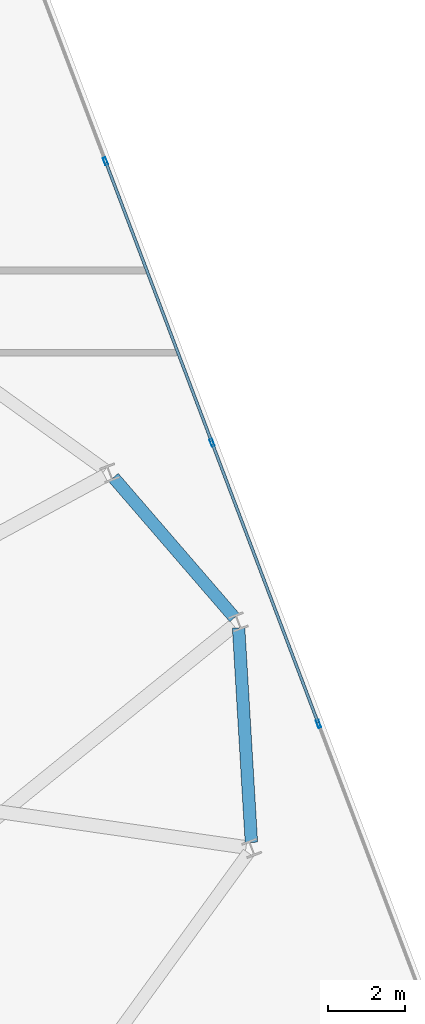
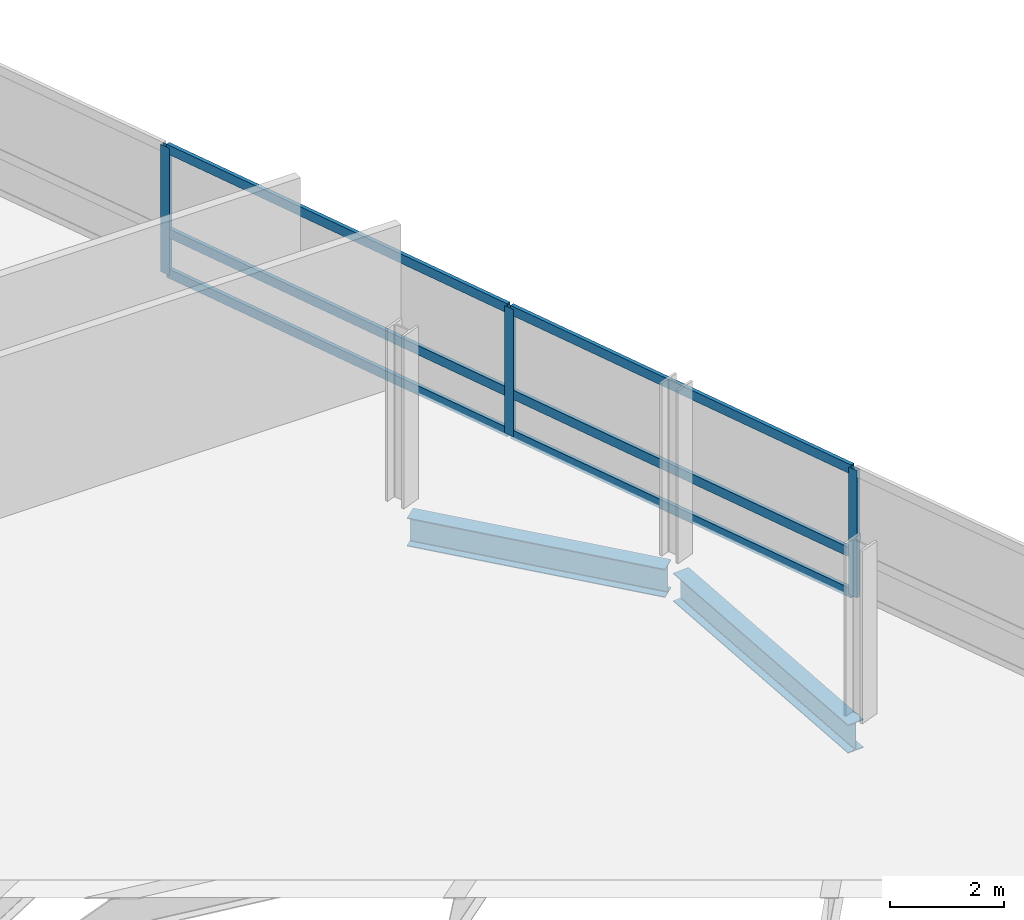
# One storey, part 12 of 20: 9 members, 2 beams, 1 element without a shape of its own.
"""IFC4 building model written with IfcOpenShell, lengths in metres."""

from ifc_helpers import new_model, si_unit, direction, frame, origin, origin_2d, place, context, subcontext, project, spatial, hollow_rectangle, i_section, extrude, material, layer, layer_set, material_profile, profile_set, type_object, element, aggregate, save


model = new_model("IFC4")

# Units and contexts
model_context = context("Model", 3, precision=1e-05, world=origin(), true_north=direction((0.0, 1.0)))
body_context = subcontext(model_context, "Body", "Model", "MODEL_VIEW")
ifc_project = project(units=[si_unit("LENGTHUNIT", "METRE"), si_unit("AREAUNIT", "SQUARE_METRE"), si_unit("VOLUMEUNIT", "CUBIC_METRE"), si_unit("PLANEANGLEUNIT", "RADIAN"), si_unit("MASSUNIT", "GRAM", prefix="KILO")], contexts=[model_context])

# Site, building, storey
site_placement = place(None, origin())
site = spatial("IfcSite", under=ifc_project, at=site_placement, CompositionType="ELEMENT")
building_placement = place(site_placement, origin())
building = spatial("IfcBuilding", under=site, at=building_placement, Name="Varnelok Gate Tower", CompositionType="ELEMENT")
storey_placement = place(building_placement, frame((0.0, 0.0, 220.10009765625)))
storey = spatial("IfcBuildingStorey", under=building, at=storey_placement, Name="L56", CompositionType="ELEMENT", Elevation=220.10009765625)

# Beams
ifc_material_1 = material(Name="Structural Steel ASTM A992 Grade 50", Category="steel")
ifc_material_profile_1 = material_profile(ifc_material_1, i_section(OverallWidth=0.323974609375, OverallDepth=0.611083984375, WebThickness=0.0126953125, FlangeThickness=0.01904296875, FilletRadius=0.01806640625, at=origin_2d()), Name="W24X104")
ifc_profile_set_1 = profile_set([ifc_material_profile_1], Name="Structural Steel ASTM A992 Grade 50")
beam_type = type_object("IfcBeamType", Name="BM-SPN-W24X104", PredefinedType="SPANDREL", material=ifc_profile_set_1)
beam_1_placement = place(storey_placement, frame((71.046142578125, 26.60302734375, -0.5556640625), z_axis=(-0.059494461707, 0.998228635647, 0.0), x_axis=(-0.998228635647, -0.059494461707, 0.0)))
element("IfcBeam", 1, at=beam_1_placement, inside=storey, type_object=beam_type, Name="L56 Perimeter Spandrel Beam 6", PredefinedType="SPANDREL", context=body_context, shape_type="SweptSolid", body=[
    extrude(i_section(OverallWidth=0.323974609375, OverallDepth=0.611083984375, WebThickness=0.0126953125, FlangeThickness=0.01904296875, FilletRadius=0.01806640625, at=origin_2d()), origin(), (0.0, 0.0, 1.0), 5.57666015625),
])
beam_2_placement = place(storey_placement, frame((70.607421875, 32.43310546875, -0.5556640625), z_axis=(-0.653480804386, 0.756943087886, 0.0), x_axis=(-0.756943087886, -0.653480804386, 0.0)))
element("IfcBeam", 2, at=beam_2_placement, inside=storey, type_object=beam_type, Name="L56 Perimeter Spandrel Beam 7", PredefinedType="SPANDREL", context=body_context, shape_type="SweptSolid", body=[
    extrude(i_section(OverallWidth=0.323974609375, OverallDepth=0.611083984375, WebThickness=0.0126953125, FlangeThickness=0.01904296875, FilletRadius=0.01806640625, at=origin_2d()), origin(), (0.0, 0.0, 1.0), 4.799560546875),
])

# Curtain wall, members
ifc_material_2 = material(Name="Anodized Aluminum Alloy 6063-T6", Category="aluminium")
ifc_layer = layer(ifc_material_2, 0.179931640625)
ifc_layer_set = layer_set([ifc_layer], Name="Anodized Aluminum Alloy 6063-T6")
curtain_wall_type = type_object("IfcCurtainWallType", Name="CW4-RESIDENCE-VISION", PredefinedType="USERDEFINED", material=ifc_layer_set)
curtain_wall_placement = place(storey_placement, origin())
curtain_wall = element("IfcCurtainWall", 3, at=curtain_wall_placement, inside=storey, type_object=curtain_wall_type, Name="L56 East End Vision Curtain Wall", ObjectType="UNITISED CURTAIN WALL", PredefinedType="USERDEFINED")
ifc_material_profile_2 = material_profile(ifc_material_2, hollow_rectangle(XDim=0.074951171875, YDim=0.199951171875, WallThickness=0.00390625, at=origin_2d()), Name="ALU200X75X4")
ifc_profile_set_2 = profile_set([ifc_material_profile_2], Name="Anodized Aluminum Alloy 6063-T6")
member_type_1 = type_object("IfcMemberType", Name="CW-MULL-200", PredefinedType="MULLION", material=ifc_profile_set_2)
member_1_placement = place(storey_placement, frame((67.26318359375, 44.2646484375, 0.0), z_axis=(0.0, 0.0, 1.0), x_axis=(0.935221557832, 0.354063042079, 0.0)))
member_1 = element("IfcMember", 4, at=member_1_placement, type_object=member_type_1, Name="CW4 mullion 2", PredefinedType="MULLION", context=body_context, shape_type="SweptSolid", body=[
    extrude(hollow_rectangle(XDim=0.074951171875, YDim=0.199951171875, WallThickness=0.00390625, at=origin_2d()), origin(), (0.0, 0.0, 1.0), 2.72998046875),
])
member_2_placement = place(storey_placement, frame((70.02490234375, 36.969970703125, 0.0), z_axis=(0.0, 0.0, 1.0), x_axis=(0.935221557832, 0.354063042079, 0.0)))
member_2 = element("IfcMember", 5, at=member_2_placement, type_object=member_type_1, Name="CW4 mullion 3", PredefinedType="MULLION", context=body_context, shape_type="SweptSolid", body=[
    extrude(hollow_rectangle(XDim=0.074951171875, YDim=0.199951171875, WallThickness=0.00390625, at=origin_2d()), origin(), (0.0, 0.0, 1.0), 2.72998046875),
])
member_3_placement = place(storey_placement, frame((72.78662109375, 29.675048828125, 0.0), z_axis=(0.0, 0.0, 1.0), x_axis=(0.935221557832, 0.354063042079, 0.0)))
member_3 = element("IfcMember", 6, at=member_3_placement, type_object=member_type_1, Name="CW4 mullion 4", PredefinedType="MULLION", context=body_context, shape_type="SweptSolid", body=[
    extrude(hollow_rectangle(XDim=0.074951171875, YDim=0.199951171875, WallThickness=0.00390625, at=origin_2d()), origin(), (0.0, 0.0, 1.0), 2.72998046875),
])
ifc_material_profile_3 = material_profile(ifc_material_2, hollow_rectangle(XDim=0.074951171875, YDim=0.199951171875, WallThickness=0.00390625, at=origin_2d()), Name="ALU200X75X4")
ifc_profile_set_3 = profile_set([ifc_material_profile_3], Name="Anodized Aluminum Alloy 6063-T6")
member_type_2 = type_object("IfcMemberType", Name="CW-TRAN-200", PredefinedType="USERDEFINED", material=ifc_profile_set_3)
member_4_placement = place(storey_placement, frame((67.2763671875, 44.2294921875, 0.037353515625), z_axis=(0.354086355793, -0.935212731223, 0.0), x_axis=(0.935212731223, 0.354086355793, 0.0)))
member_4 = element("IfcMember", 7, at=member_4_placement, type_object=member_type_2, Name="CW4 transom 2.1", ObjectType="TRANSOM", PredefinedType="USERDEFINED", context=body_context, shape_type="SweptSolid", body=[
    extrude(hollow_rectangle(XDim=0.074951171875, YDim=0.199951171875, WallThickness=0.00390625, at=origin_2d()), origin(), (0.0, 0.0, 1.0), 7.72509765625),
])
member_5_placement = place(storey_placement, frame((67.2763671875, 44.2294921875, 0.89990234375), z_axis=(0.354086355793, -0.935212731223, 0.0), x_axis=(0.935212731223, 0.354086355793, 0.0)))
member_5 = element("IfcMember", 8, at=member_5_placement, type_object=member_type_2, Name="CW4 transom 2.2", ObjectType="TRANSOM", PredefinedType="USERDEFINED", context=body_context, shape_type="SweptSolid", body=[
    extrude(hollow_rectangle(XDim=0.074951171875, YDim=0.199951171875, WallThickness=0.00390625, at=origin_2d()), origin(), (0.0, 0.0, 1.0), 7.72509765625),
])
member_6_placement = place(storey_placement, frame((67.2763671875, 44.2294921875, 2.6923828125), z_axis=(0.354086355793, -0.935212731223, 0.0), x_axis=(0.935212731223, 0.354086355793, 0.0)))
member_6 = element("IfcMember", 9, at=member_6_placement, type_object=member_type_2, Name="CW4 transom 2.3", ObjectType="TRANSOM", PredefinedType="USERDEFINED", context=body_context, shape_type="SweptSolid", body=[
    extrude(hollow_rectangle(XDim=0.074951171875, YDim=0.199951171875, WallThickness=0.00390625, at=origin_2d()), origin(), (0.0, 0.0, 1.0), 7.72509765625),
])
member_7_placement = place(storey_placement, frame((70.0380859375, 36.934814453125, 0.037353515625), z_axis=(0.354086355793, -0.935212731223, 0.0), x_axis=(0.935212731223, 0.354086355793, 0.0)))
member_7 = element("IfcMember", 10, at=member_7_placement, type_object=member_type_2, Name="CW4 transom 3.1", ObjectType="TRANSOM", PredefinedType="USERDEFINED", context=body_context, shape_type="SweptSolid", body=[
    extrude(hollow_rectangle(XDim=0.074951171875, YDim=0.199951171875, WallThickness=0.00390625, at=origin_2d()), origin(), (0.0, 0.0, 1.0), 7.72509765625),
])
member_8_placement = place(storey_placement, frame((70.0380859375, 36.934814453125, 0.89990234375), z_axis=(0.354086355793, -0.935212731223, 0.0), x_axis=(0.935212731223, 0.354086355793, 0.0)))
member_8 = element("IfcMember", 11, at=member_8_placement, type_object=member_type_2, Name="CW4 transom 3.2", ObjectType="TRANSOM", PredefinedType="USERDEFINED", context=body_context, shape_type="SweptSolid", body=[
    extrude(hollow_rectangle(XDim=0.074951171875, YDim=0.199951171875, WallThickness=0.00390625, at=origin_2d()), origin(), (0.0, 0.0, 1.0), 7.72509765625),
])
member_9_placement = place(storey_placement, frame((70.0380859375, 36.934814453125, 2.6923828125), z_axis=(0.354086355793, -0.935212731223, 0.0), x_axis=(0.935212731223, 0.354086355793, 0.0)))
member_9 = element("IfcMember", 12, at=member_9_placement, type_object=member_type_2, Name="CW4 transom 3.3", ObjectType="TRANSOM", PredefinedType="USERDEFINED", context=body_context, shape_type="SweptSolid", body=[
    extrude(hollow_rectangle(XDim=0.074951171875, YDim=0.199951171875, WallThickness=0.00390625, at=origin_2d()), origin(), (0.0, 0.0, 1.0), 7.72509765625),
])
aggregate(curtain_wall, [member_1, member_2, member_3, member_4, member_5, member_6, member_7, member_8, member_9])

save(model, "model.ifc")
